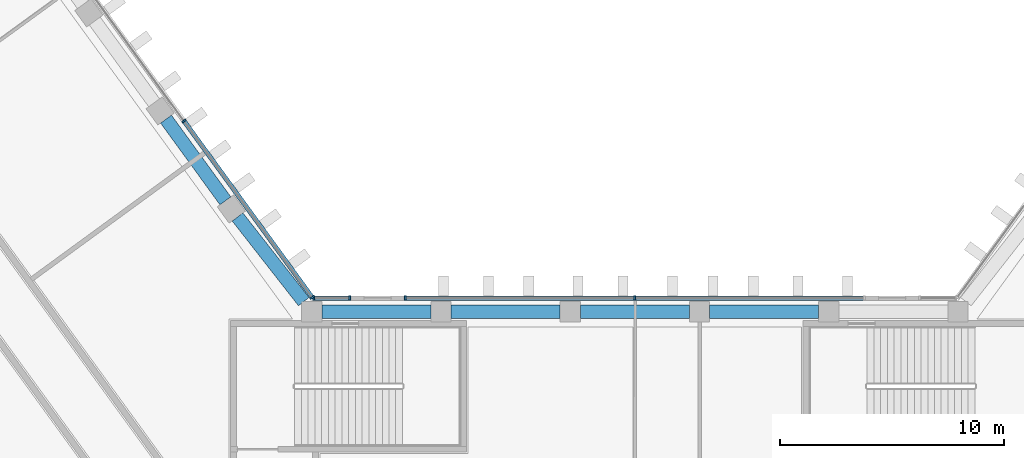
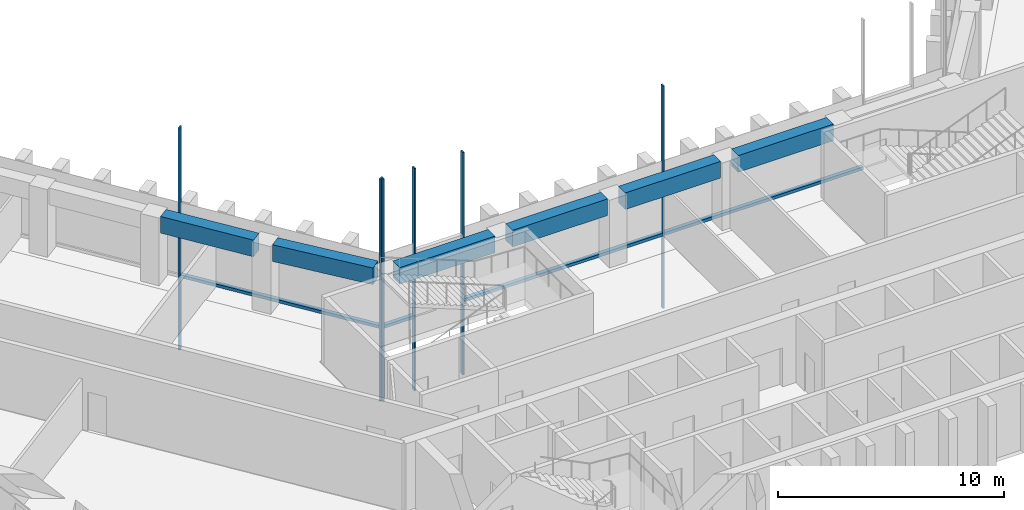
# One storey, part 3 of 19: 10 members, 6 beams, 3 elements without a shape of their own.
"""IFC4 building model written with IfcOpenShell, lengths in metres."""

from ifc_helpers import new_model, si_unit, direction, frame, origin, origin_2d, place, context, subcontext, project, spatial, rectangle, extrude, material, material_profile, profile_set, type_object, element, aggregate, save


model = new_model("IFC4")

# Units and contexts
model_context = context("Model", 3, precision=1e-05, world=origin(), true_north=direction((0.0, 1.0)))
body_context = subcontext(model_context, "Body", "Model", "MODEL_VIEW")
ifc_project = project(units=[si_unit("LENGTHUNIT", "METRE"), si_unit("AREAUNIT", "SQUARE_METRE"), si_unit("VOLUMEUNIT", "CUBIC_METRE"), si_unit("PLANEANGLEUNIT", "RADIAN"), si_unit("MASSUNIT", "GRAM", prefix="KILO")], contexts=[model_context])

# Site, building, storey
site_placement = place(None, origin())
site = spatial("IfcSite", under=ifc_project, at=site_placement, CompositionType="ELEMENT")
building_placement = place(site_placement, origin())
building = spatial("IfcBuilding", under=site, at=building_placement, Name="Quipu Civic Tower", CompositionType="ELEMENT")
storey_placement = place(building_placement, frame((0.0, 0.0, 35.0)))
storey = spatial("IfcBuildingStorey", under=building, at=storey_placement, Name="L07", CompositionType="ELEMENT", Elevation=35.0)

# Curtain wall, members
ifc_material_1 = material(Name="Insulated glass unit", Category="glass")
curtain_wall_type = type_object("IfcCurtainWallType", Name="Office curtain wall CW1", PredefinedType="NOTDEFINED", material=ifc_material_1)
curtain_wall_1_placement = place(storey_placement, origin())
curtain_wall_1 = element("IfcCurtainWall", 1, at=curtain_wall_1_placement, inside=storey, type_object=curtain_wall_type, Name="Office curtain wall CW1 L06 run 29", PredefinedType="NOTDEFINED")
ifc_material_2 = material(Name="Anodised aluminium", Category="aluminium")
ifc_material_profile_1 = material_profile(ifc_material_2, rectangle(XDim=0.199951171875, YDim=0.080078125, at=origin_2d()), Name="RECT 200x80")
ifc_profile_set_1 = profile_set([ifc_material_profile_1], Name="Anodised aluminium")
member_type_1 = type_object("IfcMemberType", Name="Mullion CW1", PredefinedType="MULLION", material=ifc_profile_set_1)
member_1_placement = place(storey_placement, frame((0.0, 11.10009765625, -3.919921875), z_axis=(0.0, 0.0, 1.0), x_axis=(0.0, -1.0, 0.0)))
member_1 = element("IfcMember", 2, at=member_1_placement, type_object=member_type_1, Name="CW1 mullion 2", PredefinedType="MULLION", context=body_context, shape_type="SweptSolid", body=[
    extrude(rectangle(XDim=0.199951171875, YDim=0.080078125, at=origin_2d()), origin(), (0.0, 0.0, 1.0), 12.0),
])
member_2_placement = place(storey_placement, frame((-10.223388671875, 11.10009765625, -3.919921875), z_axis=(0.0, 0.0, 1.0), x_axis=(0.0, -1.0, 0.0)))
member_2 = element("IfcMember", 3, at=member_2_placement, type_object=member_type_1, Name="CW1 mullion 3", PredefinedType="MULLION", context=body_context, shape_type="SweptSolid", body=[
    extrude(rectangle(XDim=0.199951171875, YDim=0.080078125, at=origin_2d()), origin(), (0.0, 0.0, 1.0), 12.0),
])

curtain_wall_2_placement = place(storey_placement, origin())
curtain_wall_2 = element("IfcCurtainWall", 4, at=curtain_wall_2_placement, inside=storey, type_object=curtain_wall_type, Name="Office curtain wall CW1 L06 run 31", PredefinedType="NOTDEFINED")
member_3_placement = place(storey_placement, frame((-12.695068359375, 11.10009765625, -3.919921875), z_axis=(0.0, 0.0, 1.0), x_axis=(0.0, -1.0, 0.0)))
member_3 = element("IfcMember", 5, at=member_3_placement, type_object=member_type_1, Name="CW1 mullion 1", PredefinedType="MULLION", context=body_context, shape_type="SweptSolid", body=[
    extrude(rectangle(XDim=0.199951171875, YDim=0.080078125, at=origin_2d()), origin(), (0.0, 0.0, 1.0), 12.0),
])
member_4_placement = place(storey_placement, frame((-14.30419921875, 11.10009765625, -3.919921875), z_axis=(0.0, 0.0, 1.0), x_axis=(0.0, -1.0, 0.0)))
member_4 = element("IfcMember", 6, at=member_4_placement, type_object=member_type_1, Name="CW1 mullion 2", PredefinedType="MULLION", context=body_context, shape_type="SweptSolid", body=[
    extrude(rectangle(XDim=0.199951171875, YDim=0.080078125, at=origin_2d()), origin(), (0.0, 0.0, 1.0), 12.0),
])

curtain_wall_3_placement = place(storey_placement, origin())
curtain_wall_3 = element("IfcCurtainWall", 7, at=curtain_wall_3_placement, inside=storey, type_object=curtain_wall_type, Name="Office curtain wall CW1 L06 run 32", PredefinedType="NOTDEFINED")
member_5_placement = place(storey_placement, frame((-14.36767578125, 11.13232421875, -3.919921875), z_axis=(0.0, 0.0, 1.0), x_axis=(-0.809016532822, -0.587785887566, 0.0)))
member_5 = element("IfcMember", 8, at=member_5_placement, type_object=member_type_1, Name="CW1 mullion 1", PredefinedType="MULLION", context=body_context, shape_type="SweptSolid", body=[
    extrude(rectangle(XDim=0.199951171875, YDim=0.080078125, at=origin_2d()), origin(), (0.0, 0.0, 1.0), 12.0),
])
member_6_placement = place(storey_placement, frame((-20.08154296875, 18.996826171875, -3.919921875), z_axis=(0.0, 0.0, 1.0), x_axis=(-0.809016532822, -0.587785887566, 0.0)))
member_6 = element("IfcMember", 9, at=member_6_placement, type_object=member_type_1, Name="CW1 mullion 2", PredefinedType="MULLION", context=body_context, shape_type="SweptSolid", body=[
    extrude(rectangle(XDim=0.199951171875, YDim=0.080078125, at=origin_2d()), origin(), (0.0, 0.0, 1.0), 12.0),
])

# Beams
ifc_material_3 = material(Name="Concrete C50/60", Category="concrete")
ifc_material_profile_2 = material_profile(ifc_material_3, rectangle(XDim=0.60009765625, YDim=0.89990234375, at=origin_2d()), Name="RC600x900")
ifc_profile_set_2 = profile_set([ifc_material_profile_2], Name="Concrete C50/60")
beam_type = type_object("IfcBeamType", Name="Spandrel beam RC 600x900 C50/60", PredefinedType="SPANDREL", material=ifc_profile_set_2)
beam_1_placement = place(storey_placement, frame((-18.238037109375, 15.43896484375, 3.199951171875), z_axis=(-0.587716763865, 0.809066749701, 0.0), x_axis=(-0.809066749701, -0.587716763865, 0.0)))
element("IfcBeam", 10, at=beam_1_placement, inside=storey, type_object=beam_type, Name="Spandrel beam L07 W-IN-01 to W-IN-02", PredefinedType="SPANDREL", context=body_context, shape_type="SweptSolid", body=[
    extrude(rectangle(XDim=0.60009765625, YDim=0.89990234375, at=origin_2d()), origin(), (0.0, 0.0, 1.0), 4.5),
])
for number, where, z_axis, x_axis, name in (
    (11, (8.18701171875, 10.5, 3.199951171875), (-1.0, 0.0, 0.0), (0.0, -1.0, 0.0), "Spandrel beam L07 FRONT-01 to FRONT-02"),
    (12, (2.428955078125, 10.5, 3.199951171875), (-1.0, 0.0, 0.0), (0.0, -1.0, 0.0), "Spandrel beam L07 FRONT-02 to FRONT-03"),
    (13, (-3.3291015625, 10.5, 3.199951171875), (-1.0, 0.0, 0.0), (0.0, -1.0, 0.0), "Spandrel beam L07 FRONT-03 to FRONT-04"),
):
    element("IfcBeam", number, at=place(storey_placement, frame(where, z_axis=z_axis, x_axis=x_axis)), inside=storey, type_object=beam_type, Name=name, PredefinedType="SPANDREL", context=body_context, shape_type="SweptSolid", body=[
        extrude(rectangle(XDim=0.60009765625, YDim=0.89990234375, at=origin_2d()), origin(), (0.0, 0.0, 1.0), 4.85791015625),
    ])
beam_2_placement = place(storey_placement, frame((-9.087158203125, 10.5, 3.199951171875), z_axis=(-1.0, 0.0, 0.0), x_axis=(0.0, -1.0, 0.0)))
element("IfcBeam", 14, at=beam_2_placement, inside=storey, type_object=beam_type, Name="Spandrel beam L07 FRONT-04 to J-Wi.0", PredefinedType="SPANDREL", context=body_context, shape_type="SweptSolid", body=[
    extrude(rectangle(XDim=0.60009765625, YDim=0.89990234375, at=origin_2d()), origin(), (0.0, 0.0, 1.0), 4.858154296875),
])
beam_3_placement = place(storey_placement, frame((-14.7470703125, 10.949951171875, 3.199951171875), z_axis=(-0.616123961998, 0.787649200756, 0.0), x_axis=(-0.787649200756, -0.616123961998, 0.0)))
element("IfcBeam", 15, at=beam_3_placement, inside=storey, type_object=beam_type, Name="Spandrel beam L07 J-Wi.0 to W-IN-01", PredefinedType="SPANDREL", context=body_context, shape_type="SweptSolid", body=[
    extrude(rectangle(XDim=0.60009765625, YDim=0.89990234375, at=origin_2d()), origin(), (0.0, 0.0, 1.0), 4.78662109375),
])

# Member
ifc_material_4 = material(Name="Anodised aluminium", Category="aluminium")
ifc_material_profile_3 = material_profile(ifc_material_4, rectangle(XDim=0.199951171875, YDim=0.159912109375, at=origin_2d()), Name="RECT 200x160")
ifc_profile_set_3 = profile_set([ifc_material_profile_3], Name="Anodised aluminium")
member_type_2 = type_object("IfcMemberType", Name="Transom CW1", PredefinedType="USERDEFINED", material=ifc_profile_set_3)
member_7_placement = place(storey_placement, frame((10.18359375, 11.10009765625, 0.080078125), z_axis=(-1.0, 0.0, 0.0), x_axis=(0.0, -1.0, 0.0)))
member_7 = element("IfcMember", 16, at=member_7_placement, type_object=member_type_2, Name="CW1 transom 1.2", ObjectType="TRANSOM", PredefinedType="USERDEFINED", context=body_context, shape_type="SweptSolid", body=[
    extrude(rectangle(XDim=0.199951171875, YDim=0.159912109375, at=origin_2d()), origin(), (0.0, 0.0, 1.0), 10.1435546875),
])

member_8_placement = place(storey_placement, frame((-0.0400390625, 11.10009765625, 0.080078125), z_axis=(-1.0, 0.0, 0.0), x_axis=(0.0, -1.0, 0.0)))
member_8 = element("IfcMember", 17, at=member_8_placement, type_object=member_type_2, Name="CW1 transom 2.2", ObjectType="TRANSOM", PredefinedType="USERDEFINED", context=body_context, shape_type="SweptSolid", body=[
    extrude(rectangle(XDim=0.199951171875, YDim=0.159912109375, at=origin_2d()), origin(), (0.0, 0.0, 1.0), 10.1435546875),
])

aggregate(curtain_wall_1, [member_1, member_2, member_7, member_8])

member_9_placement = place(storey_placement, frame((-12.735107421875, 11.10009765625, 0.080078125), z_axis=(-1.0, 0.0, 0.0), x_axis=(0.0, -1.0, 0.0)))
member_9 = element("IfcMember", 18, at=member_9_placement, type_object=member_type_2, Name="CW1 transom 1.2", ObjectType="TRANSOM", PredefinedType="USERDEFINED", context=body_context, shape_type="SweptSolid", body=[
    extrude(rectangle(XDim=0.199951171875, YDim=0.159912109375, at=origin_2d()), origin(), (0.0, 0.0, 1.0), 1.529052734375),
])

aggregate(curtain_wall_2, [member_3, member_4, member_9])

member_10_placement = place(storey_placement, frame((-14.39111328125, 11.164794921875, 0.080078125), z_axis=(-0.58779220199, 0.809011945079, 0.0), x_axis=(-0.809011945079, -0.58779220199, 0.0)))
member_10 = element("IfcMember", 19, at=member_10_placement, type_object=member_type_2, Name="CW1 transom 1.2", ObjectType="TRANSOM", PredefinedType="USERDEFINED", context=body_context, shape_type="SweptSolid", body=[
    extrude(rectangle(XDim=0.199951171875, YDim=0.159912109375, at=origin_2d()), origin(), (0.0, 0.0, 1.0), 9.64111328125),
])

aggregate(curtain_wall_3, [member_5, member_6, member_10])

save(model, "model.ifc")
